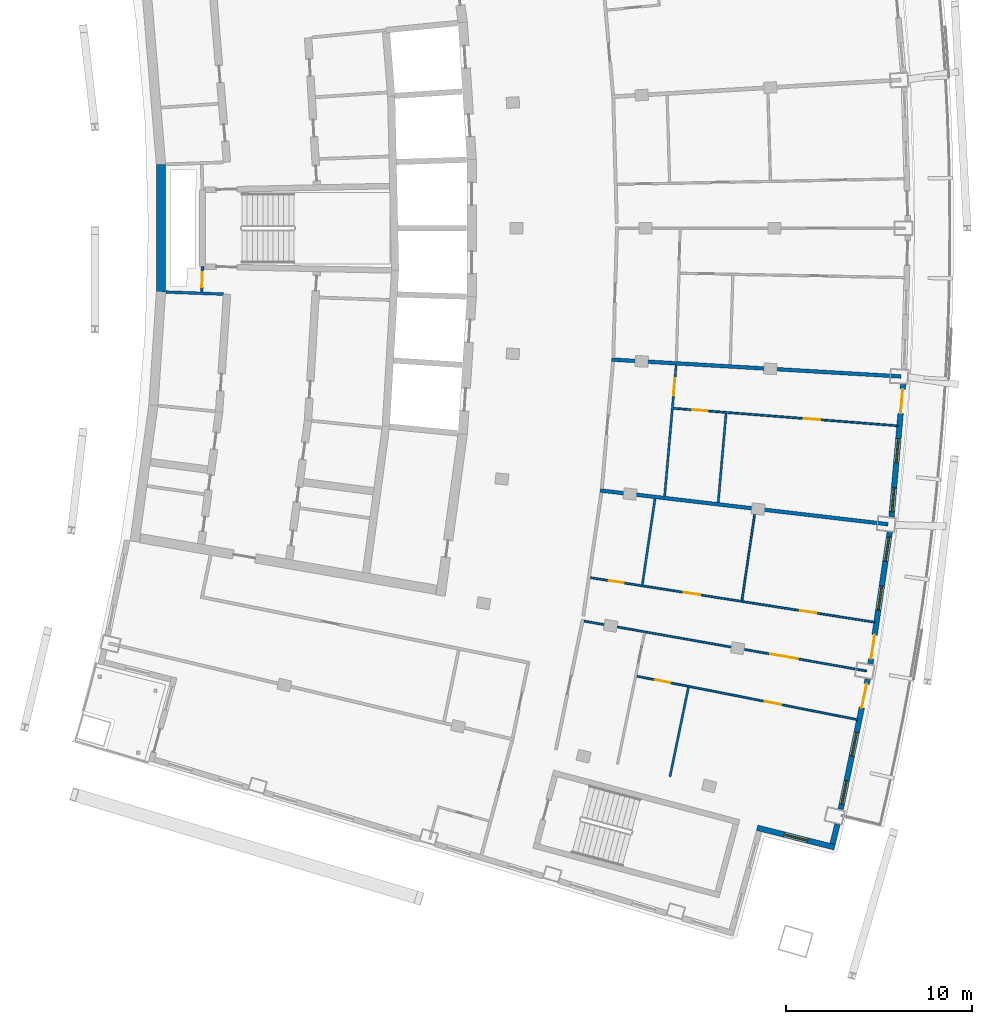
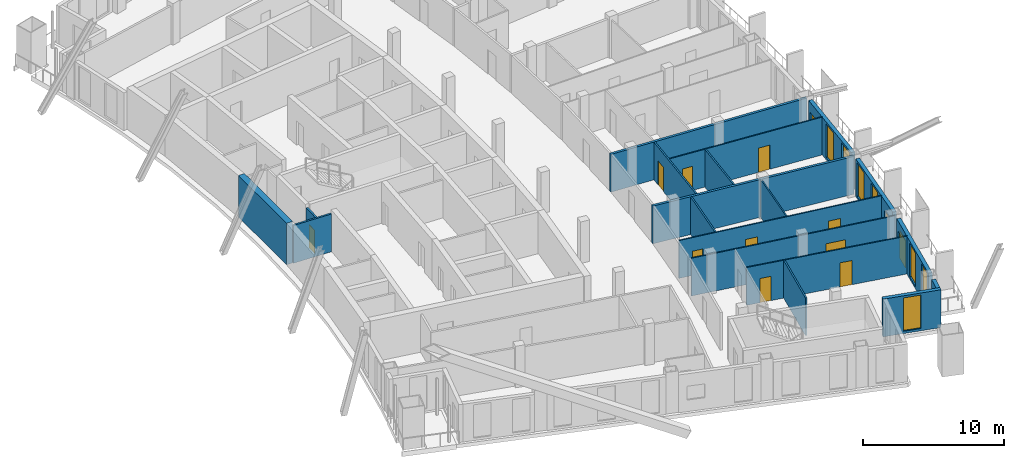
# One storey, part 9 of 17: 19 walls, 13 doors, 7 windows, 20 openings.
"""IFC4 building model written with IfcOpenShell, lengths in metres."""

from ifc_helpers import new_model, si_unit, direction, frame, frame_2d, origin, place, context, subcontext, project, spatial, rectangle, extrude, material, layer, layer_set, type_object, element, fill, save


model = new_model("IFC4")

# Units and contexts
model_context = context("Model", 3, precision=1e-05, world=origin(), true_north=direction((0.0, 1.0)))
body_context = subcontext(model_context, "Body", "Model", "MODEL_VIEW")
ifc_project = project(units=[si_unit("LENGTHUNIT", "METRE"), si_unit("AREAUNIT", "SQUARE_METRE"), si_unit("VOLUMEUNIT", "CUBIC_METRE"), si_unit("PLANEANGLEUNIT", "RADIAN"), si_unit("MASSUNIT", "GRAM", prefix="KILO")], contexts=[model_context])

# Site, building, storey
site_placement = place(None, origin())
site = spatial("IfcSite", under=ifc_project, at=site_placement, CompositionType="ELEMENT")
building_placement = place(site_placement, origin())
building = spatial("IfcBuilding", under=site, at=building_placement, Name="Alderwake Tower", CompositionType="ELEMENT")
storey_placement = place(building_placement, frame((0.0, 0.0, 256.39990234375)))
storey = spatial("IfcBuildingStorey", under=building, at=storey_placement, Name="L63", CompositionType="ELEMENT", Elevation=256.39990234375)

# Wall, opening, door
ifc_material_1 = material(Name="Gypsum shaft wall system, rated")
ifc_layer_1 = layer(ifc_material_1, 0.14990234375)
ifc_layer_set_1 = layer_set([ifc_layer_1], Name="Core room partition 150")
wall_type_1 = type_object("IfcWallType", Name="Core room partition 150", PredefinedType="PARTITIONING", material=ifc_layer_set_1)
wall_1_placement = place(storey_placement, frame((18.918701171875, 58.94384765625, 0.0), z_axis=(0.0, 0.0, 1.0), x_axis=(-0.027811602725, -0.999613182563, 0.0)))
wall_1 = element("IfcWall", 1, at=wall_1_placement, inside=storey, type_object=wall_type_1, Name="CW/L63/PA+24_-37", PredefinedType="PARTITIONING", context=body_context, shape_type="SweptSolid", body=[
    extrude(rectangle(XDim=1.369384765625, YDim=0.14990234375, at=frame_2d((0.6845703125, 0.0))), origin(), (0.0, 0.0, 1.0), 3.280029296875),
])
opening_1_placement = place(wall_1_placement, frame((0.322998046875, 0.0, 0.0)))
opening_1 = element("IfcOpeningElement", 2, at=opening_1_placement, cuts=wall_1, Name="Opening C004", PredefinedType="OPENING", context=body_context, shape_type="SweptSolid", body=[
    extrude(rectangle(XDim=0.800048828125, YDim=2.0, at=frame_2d((0.39990234375, 1.0))), frame((0.0, 0.0849609375, 0.0), z_axis=(0.0, -1.0, 0.0), x_axis=(1.0, 0.0, 0.0)), (0.0, 0.0, 1.0), 0.169921875),
])
ifc_material_2 = material(Name="Painted steel leaf, rated", Category="steel")
door_type_1 = type_object("IfcDoorType", Name="Riser access door 800", OperationType="SINGLE_SWING_LEFT", PredefinedType="DOOR", material=ifc_material_2)
door_1_placement = place(opening_1_placement, origin())
door_1 = element("IfcDoor", 3, at=door_1_placement, inside=storey, type_object=door_type_1, Name="Riser access door", OperationType="SINGLE_SWING_RIGHT", OverallHeight=2.0, OverallWidth=0.800048828125, PredefinedType="DOOR", context=body_context, shape_type="SweptSolid", body=[
    extrude(rectangle(XDim=0.800048828125, YDim=2.0, at=frame_2d((0.39990234375, 1.0))), frame((0.0, 0.02490234375, 0.0), z_axis=(0.0, -1.0, 0.0), x_axis=(1.0, 0.0, 0.0)), (0.0, 0.0, 1.0), 0.050048828125),
])
fill(opening_1, door_1)

# Walls
wall_2_placement = place(storey_placement, frame((16.969482421875, 57.5673828125, 0.0), z_axis=(0.0, 0.0, 1.0), x_axis=(0.999376258731, -0.035314210814, 0.0)))
element("IfcWall", 4, at=wall_2_placement, inside=storey, type_object=wall_type_1, Name="CW/L63/PR-37_+0", PredefinedType="PARTITIONING", context=body_context, shape_type="SweptSolid", body=[
    extrude(rectangle(XDim=3.069580078125, YDim=0.14990234375, at=frame_2d((1.53466796875, 0.0))), origin(), (0.0, 0.0, 1.0), 3.280029296875),
])
ifc_material_3 = material(Name="Concrete C70/85", Category="concrete")
ifc_layer_2 = layer(ifc_material_3, 0.5)
ifc_layer_set_2 = layer_set([ifc_layer_2], Name="Core wall outer 500 C70-85")
wall_type_2 = type_object("IfcWallType", Name="Core wall outer 500 C70-85", PredefinedType="SHEAR", material=ifc_layer_set_2)
wall_3_placement = place(storey_placement, frame((16.689453125, 57.568603515625, 0.0), z_axis=(0.0, 0.0, 1.0), x_axis=(0.0, 1.0, 0.0)))
element("IfcWall", 5, at=wall_3_placement, inside=storey, type_object=wall_type_2, Name="Core wall CW.029", PredefinedType="SHEAR", context=body_context, shape_type="SweptSolid", body=[
    extrude(rectangle(XDim=6.86474609375, YDim=0.5, at=frame_2d((3.432373046875, 0.0))), origin(), (0.0, 0.0, 1.0), 3.60009765625),
])
ifc_material_4 = material(Name="Precast concrete C50/60 spandrel panel", Category="concrete")
ifc_layer_3 = layer(ifc_material_4, 0.300048828125)
ifc_layer_set_3 = layer_set([ifc_layer_3], Name="External wall EW1 Precast concrete C50/60 spandrel")
wall_type_3 = type_object("IfcWallType", Name="External wall EW1 Precast concrete C50/60 spandrel", PredefinedType="SOLIDWALL", material=ifc_layer_set_3)
wall_4_placement = place(storey_placement, frame((52.78515625, 27.90478515625, 0.0), z_axis=(0.0, 0.0, 1.0), x_axis=(0.238265366809, 0.971200090084, 0.0)))
element("IfcWall", 6, at=wall_4_placement, inside=storey, type_object=wall_type_3, Name="External wall 11", PredefinedType="SOLIDWALL", context=body_context, shape_type="SweptSolid", body=[
    extrude(rectangle(XDim=1.09033203125, YDim=0.300048828125, at=frame_2d((0.545166015625, 0.0))), origin(), (0.0, 0.0, 1.0), 3.280029296875),
])

# Wall, openings, door, windows
wall_5_placement = place(storey_placement, frame((53.226806640625, 29.770263671875, 0.0), z_axis=(0.0, 0.0, 1.0), x_axis=(0.202780898279, 0.979224135371, 0.0)))
wall_5 = element("IfcWall", 7, at=wall_5_placement, inside=storey, type_object=wall_type_3, Name="External wall 12", PredefinedType="SOLIDWALL", context=body_context, shape_type="SweptSolid", body=[
    extrude(rectangle(XDim=7.13818359375, YDim=0.300048828125, at=frame_2d((3.569091796875, 0.0))), origin(), (0.0, 0.0, 1.0), 3.280029296875),
])
opening_2_placement = place(wall_5_placement, frame((0.263427734375, 0.0, 0.199951171875)))
opening_2 = element("IfcOpeningElement", 8, at=opening_2_placement, cuts=wall_5, Name="Opening W1", PredefinedType="OPENING", context=body_context, shape_type="SweptSolid", body=[
    extrude(rectangle(XDim=1.300048828125, YDim=2.89990234375, at=frame_2d((0.64990234375, 1.449951171875))), frame((0.0, 0.159912109375, 0.0), z_axis=(0.0, -1.0, 0.0), x_axis=(1.0, 0.0, 0.0)), (0.0, 0.0, 1.0), 0.320068359375),
])
opening_3_placement = place(wall_5_placement, frame((2.919189453125, 0.0, 0.199951171875)))
opening_3 = element("IfcOpeningElement", 9, at=opening_3_placement, cuts=wall_5, Name="Opening W1", PredefinedType="OPENING", context=body_context, shape_type="SweptSolid", body=[
    extrude(rectangle(XDim=1.300048828125, YDim=2.89990234375, at=frame_2d((0.64990234375, 1.449951171875))), frame((0.0, 0.159912109375, 0.0), z_axis=(0.0, -1.0, 0.0), x_axis=(1.0, 0.0, 0.0)), (0.0, 0.0, 1.0), 0.320068359375),
])
opening_4_placement = place(wall_5_placement, frame((5.574951171875, 0.0, 0.0)))
opening_4 = element("IfcOpeningElement", 10, at=opening_4_placement, cuts=wall_5, Name="Opening D02", PredefinedType="OPENING", context=body_context, shape_type="SweptSolid", body=[
    extrude(rectangle(XDim=1.300048828125, YDim=2.39990234375, at=frame_2d((0.64990234375, 1.199951171875))), frame((0.0, 0.159912109375, 0.0), z_axis=(0.0, -1.0, 0.0), x_axis=(1.0, 0.0, 0.0)), (0.0, 0.0, 1.0), 0.320068359375),
])
ifc_material_5 = material(Name="Bronze tinted glass in aluminium frame", Category="aluminium")
door_type_2 = type_object("IfcDoorType", Name="Balcony door BD sliding", OperationType="SLIDING_TO_LEFT", PredefinedType="DOOR", material=ifc_material_5)
door_2_placement = place(opening_4_placement, origin())
door_2 = element("IfcDoor", 11, at=door_2_placement, inside=storey, type_object=door_type_2, Name="Door D02", OperationType="SLIDING_TO_LEFT", OverallHeight=2.39990234375, OverallWidth=1.300048828125, PredefinedType="DOOR", context=body_context, shape_type="SweptSolid", body=[
    extrude(rectangle(XDim=1.300048828125, YDim=2.39990234375, at=frame_2d((0.64990234375, 1.199951171875))), frame((0.0, 0.02490234375, 0.0), z_axis=(0.0, -1.0, 0.0), x_axis=(1.0, 0.0, 0.0)), (0.0, 0.0, 1.0), 0.050048828125),
])
fill(opening_4, door_2)
ifc_material_6 = material(Name="Bronze tinted glass in aluminium frame", Category="aluminium")
window_type = type_object("IfcWindowType", Name="Window W1 tall fixed and vent", PartitioningType="DOUBLE_PANEL_VERTICAL", PredefinedType="WINDOW", material=ifc_material_6)
window_1_placement = place(opening_2_placement, origin())
window_1 = element("IfcWindow", 12, at=window_1_placement, inside=storey, type_object=window_type, Name="Window W1 tall fixed and vent", OverallHeight=2.89990234375, OverallWidth=1.300048828125, PartitioningType="DOUBLE_PANEL_VERTICAL", PredefinedType="WINDOW", context=body_context, shape_type="SweptSolid", body=[
    extrude(rectangle(XDim=1.300048828125, YDim=2.89990234375, at=frame_2d((0.64990234375, 1.449951171875))), frame((0.0, 0.030029296875, 0.0), z_axis=(0.0, -1.0, 0.0), x_axis=(1.0, 0.0, 0.0)), (0.0, 0.0, 1.0), 0.06005859375),
])
fill(opening_2, window_1)
window_2_placement = place(opening_3_placement, origin())
window_2 = element("IfcWindow", 13, at=window_2_placement, inside=storey, type_object=window_type, Name="Window W1 tall fixed and vent", OverallHeight=2.89990234375, OverallWidth=1.300048828125, PartitioningType="DOUBLE_PANEL_VERTICAL", PredefinedType="WINDOW", context=body_context, shape_type="SweptSolid", body=[
    extrude(rectangle(XDim=1.300048828125, YDim=2.89990234375, at=frame_2d((0.64990234375, 1.449951171875))), frame((0.0, 0.030029296875, 0.0), z_axis=(0.0, -1.0, 0.0), x_axis=(1.0, 0.0, 0.0)), (0.0, 0.0, 1.0), 0.06005859375),
])
fill(opening_3, window_2)

wall_6_placement = place(storey_placement, frame((54.821044921875, 37.590576171875, 0.0), z_axis=(0.0, 0.0, 1.0), x_axis=(0.145317744338, 0.98938503788, 0.0)))
wall_6 = element("IfcWall", 14, at=wall_6_placement, inside=storey, type_object=wall_type_3, Name="External wall 13", PredefinedType="SOLIDWALL", context=body_context, shape_type="SweptSolid", body=[
    extrude(rectangle(XDim=7.138427734375, YDim=0.300048828125, at=frame_2d((3.5693359375, 0.0))), origin(), (0.0, 0.0, 1.0), 3.280029296875),
])
opening_5_placement = place(wall_6_placement, frame((0.263427734375, 0.0, 0.0)))
opening_5 = element("IfcOpeningElement", 15, at=opening_5_placement, cuts=wall_6, Name="Opening D03", PredefinedType="OPENING", context=body_context, shape_type="SweptSolid", body=[
    extrude(rectangle(XDim=1.300048828125, YDim=2.39990234375, at=frame_2d((0.64990234375, 1.199951171875))), frame((0.0, 0.159912109375, 0.0), z_axis=(0.0, -1.0, 0.0), x_axis=(1.0, 0.0, 0.0)), (0.0, 0.0, 1.0), 0.320068359375),
])
opening_6_placement = place(wall_6_placement, frame((2.919189453125, 0.0, 0.199951171875)))
opening_6 = element("IfcOpeningElement", 16, at=opening_6_placement, cuts=wall_6, Name="Opening W1", PredefinedType="OPENING", context=body_context, shape_type="SweptSolid", body=[
    extrude(rectangle(XDim=1.300048828125, YDim=2.89990234375, at=frame_2d((0.64990234375, 1.449951171875))), frame((0.0, 0.159912109375, 0.0), z_axis=(0.0, -1.0, 0.0), x_axis=(1.0, 0.0, 0.0)), (0.0, 0.0, 1.0), 0.320068359375),
])
opening_7_placement = place(wall_6_placement, frame((5.574951171875, 0.0, 0.199951171875)))
opening_7 = element("IfcOpeningElement", 17, at=opening_7_placement, cuts=wall_6, Name="Opening W1", PredefinedType="OPENING", context=body_context, shape_type="SweptSolid", body=[
    extrude(rectangle(XDim=1.300048828125, YDim=2.89990234375, at=frame_2d((0.64990234375, 1.449951171875))), frame((0.0, 0.159912109375, 0.0), z_axis=(0.0, -1.0, 0.0), x_axis=(1.0, 0.0, 0.0)), (0.0, 0.0, 1.0), 0.320068359375),
])
door_3_placement = place(opening_5_placement, origin())
door_3 = element("IfcDoor", 18, at=door_3_placement, inside=storey, type_object=door_type_2, Name="Door D03", OperationType="SLIDING_TO_LEFT", OverallHeight=2.39990234375, OverallWidth=1.300048828125, PredefinedType="DOOR", context=body_context, shape_type="SweptSolid", body=[
    extrude(rectangle(XDim=1.300048828125, YDim=2.39990234375, at=frame_2d((0.64990234375, 1.199951171875))), frame((0.0, 0.02490234375, 0.0), z_axis=(0.0, -1.0, 0.0), x_axis=(1.0, 0.0, 0.0)), (0.0, 0.0, 1.0), 0.050048828125),
])
fill(opening_5, door_3)
window_3_placement = place(opening_6_placement, origin())
window_3 = element("IfcWindow", 19, at=window_3_placement, inside=storey, type_object=window_type, Name="Window W1 tall fixed and vent", OverallHeight=2.89990234375, OverallWidth=1.300048828125, PartitioningType="DOUBLE_PANEL_VERTICAL", PredefinedType="WINDOW", context=body_context, shape_type="SweptSolid", body=[
    extrude(rectangle(XDim=1.300048828125, YDim=2.89990234375, at=frame_2d((0.64990234375, 1.449951171875))), frame((0.0, 0.030029296875, 0.0), z_axis=(0.0, -1.0, 0.0), x_axis=(1.0, 0.0, 0.0)), (0.0, 0.0, 1.0), 0.06005859375),
])
fill(opening_6, window_3)
window_4_placement = place(opening_7_placement, origin())
window_4 = element("IfcWindow", 20, at=window_4_placement, inside=storey, type_object=window_type, Name="Window W1 tall fixed and vent", OverallHeight=2.89990234375, OverallWidth=1.300048828125, PartitioningType="DOUBLE_PANEL_VERTICAL", PredefinedType="WINDOW", context=body_context, shape_type="SweptSolid", body=[
    extrude(rectangle(XDim=1.300048828125, YDim=2.89990234375, at=frame_2d((0.64990234375, 1.449951171875))), frame((0.0, 0.030029296875, 0.0), z_axis=(0.0, -1.0, 0.0), x_axis=(1.0, 0.0, 0.0)), (0.0, 0.0, 1.0), 0.06005859375),
])
fill(opening_7, window_4)

wall_7_placement = place(storey_placement, frame((55.95654296875, 45.490478515625, 0.0), z_axis=(0.0, 0.0, 1.0), x_axis=(0.087383747715, 0.996174723949, 0.0)))
wall_7 = element("IfcWall", 21, at=wall_7_placement, inside=storey, type_object=wall_type_3, Name="External wall 14", PredefinedType="SOLIDWALL", context=body_context, shape_type="SweptSolid", body=[
    extrude(rectangle(XDim=7.138427734375, YDim=0.300048828125, at=frame_2d((3.5693359375, 0.0))), origin(), (0.0, 0.0, 1.0), 3.280029296875),
])
opening_8_placement = place(wall_7_placement, frame((0.263427734375, 0.0, 0.199951171875)))
opening_8 = element("IfcOpeningElement", 22, at=opening_8_placement, cuts=wall_7, Name="Opening W1", PredefinedType="OPENING", context=body_context, shape_type="SweptSolid", body=[
    extrude(rectangle(XDim=1.300048828125, YDim=2.89990234375, at=frame_2d((0.64990234375, 1.449951171875))), frame((0.0, 0.159912109375, 0.0), z_axis=(0.0, -1.0, 0.0), x_axis=(1.0, 0.0, 0.0)), (0.0, 0.0, 1.0), 0.320068359375),
])
opening_9_placement = place(wall_7_placement, frame((2.919189453125, 0.0, 0.199951171875)))
opening_9 = element("IfcOpeningElement", 23, at=opening_9_placement, cuts=wall_7, Name="Opening W1", PredefinedType="OPENING", context=body_context, shape_type="SweptSolid", body=[
    extrude(rectangle(XDim=1.300048828125, YDim=2.89990234375, at=frame_2d((0.64990234375, 1.449951171875))), frame((0.0, 0.159912109375, 0.0), z_axis=(0.0, -1.0, 0.0), x_axis=(1.0, 0.0, 0.0)), (0.0, 0.0, 1.0), 0.320068359375),
])
opening_10_placement = place(wall_7_placement, frame((5.574951171875, 0.0, 0.0)))
opening_10 = element("IfcOpeningElement", 24, at=opening_10_placement, cuts=wall_7, Name="Opening D04", PredefinedType="OPENING", context=body_context, shape_type="SweptSolid", body=[
    extrude(rectangle(XDim=1.300048828125, YDim=2.39990234375, at=frame_2d((0.64990234375, 1.199951171875))), frame((0.0, 0.159912109375, 0.0), z_axis=(0.0, -1.0, 0.0), x_axis=(1.0, 0.0, 0.0)), (0.0, 0.0, 1.0), 0.320068359375),
])
door_4_placement = place(opening_10_placement, origin())
door_4 = element("IfcDoor", 25, at=door_4_placement, inside=storey, type_object=door_type_2, Name="Door D04", OperationType="SLIDING_TO_LEFT", OverallHeight=2.39990234375, OverallWidth=1.300048828125, PredefinedType="DOOR", context=body_context, shape_type="SweptSolid", body=[
    extrude(rectangle(XDim=1.300048828125, YDim=2.39990234375, at=frame_2d((0.64990234375, 1.199951171875))), frame((0.0, 0.02490234375, 0.0), z_axis=(0.0, -1.0, 0.0), x_axis=(1.0, 0.0, 0.0)), (0.0, 0.0, 1.0), 0.050048828125),
])
fill(opening_10, door_4)
window_5_placement = place(opening_8_placement, origin())
window_5 = element("IfcWindow", 26, at=window_5_placement, inside=storey, type_object=window_type, Name="Window W1 tall fixed and vent", OverallHeight=2.89990234375, OverallWidth=1.300048828125, PartitioningType="DOUBLE_PANEL_VERTICAL", PredefinedType="WINDOW", context=body_context, shape_type="SweptSolid", body=[
    extrude(rectangle(XDim=1.300048828125, YDim=2.89990234375, at=frame_2d((0.64990234375, 1.449951171875))), frame((0.0, 0.030029296875, 0.0), z_axis=(0.0, -1.0, 0.0), x_axis=(1.0, 0.0, 0.0)), (0.0, 0.0, 1.0), 0.06005859375),
])
fill(opening_8, window_5)
window_6_placement = place(opening_9_placement, origin())
window_6 = element("IfcWindow", 27, at=window_6_placement, inside=storey, type_object=window_type, Name="Window W1 tall fixed and vent", OverallHeight=2.89990234375, OverallWidth=1.300048828125, PartitioningType="DOUBLE_PANEL_VERTICAL", PredefinedType="WINDOW", context=body_context, shape_type="SweptSolid", body=[
    extrude(rectangle(XDim=1.300048828125, YDim=2.89990234375, at=frame_2d((0.64990234375, 1.449951171875))), frame((0.0, 0.030029296875, 0.0), z_axis=(0.0, -1.0, 0.0), x_axis=(1.0, 0.0, 0.0)), (0.0, 0.0, 1.0), 0.06005859375),
])
fill(opening_9, window_6)

# Wall, opening, window
ifc_material_7 = material(Name="Bronze metal cladding on lightweight framing")
ifc_layer_4 = layer(ifc_material_7, 0.300048828125)
ifc_layer_set_4 = layer_set([ifc_layer_4], Name="External wall EW2 bronze metal cladding")
wall_type_4 = type_object("IfcWallType", Name="External wall EW2 bronze metal cladding", PredefinedType="SOLIDWALL", material=ifc_layer_set_4)
wall_8_placement = place(storey_placement, frame((48.731689453125, 28.77587890625, 0.0), z_axis=(0.0, 0.0, 1.0), x_axis=(0.969429385377, -0.245370468408, 0.0)))
wall_8 = element("IfcWall", 28, at=wall_8_placement, inside=storey, type_object=wall_type_4, Name="External wall 10", PredefinedType="SOLIDWALL", context=body_context, shape_type="SweptSolid", body=[
    extrude(rectangle(XDim=4.29443359375, YDim=0.300048828125, at=frame_2d((2.147216796875, 0.0))), origin(), (0.0, 0.0, 1.0), 3.280029296875),
])
opening_11_placement = place(wall_8_placement, frame((1.4970703125, 0.0, 0.199951171875)))
opening_11 = element("IfcOpeningElement", 29, at=opening_11_placement, cuts=wall_8, Name="Opening W1", PredefinedType="OPENING", context=body_context, shape_type="SweptSolid", body=[
    extrude(rectangle(XDim=1.300048828125, YDim=2.89990234375, at=frame_2d((0.64990234375, 1.449951171875))), frame((0.0, 0.159912109375, 0.0), z_axis=(0.0, -1.0, 0.0), x_axis=(1.0, 0.0, 0.0)), (0.0, 0.0, 1.0), 0.320068359375),
])
window_7_placement = place(opening_11_placement, origin())
window_7 = element("IfcWindow", 30, at=window_7_placement, inside=storey, type_object=window_type, Name="Window W1 tall fixed and vent", OverallHeight=2.89990234375, OverallWidth=1.300048828125, PartitioningType="DOUBLE_PANEL_VERTICAL", PredefinedType="WINDOW", context=body_context, shape_type="SweptSolid", body=[
    extrude(rectangle(XDim=1.300048828125, YDim=2.89990234375, at=frame_2d((0.64990234375, 1.449951171875))), frame((0.0, 0.030029296875, 0.0), z_axis=(0.0, -1.0, 0.0), x_axis=(1.0, 0.0, 0.0)), (0.0, 0.0, 1.0), 0.06005859375),
])
fill(opening_11, window_7)

# Walls
ifc_material_8 = material(Name="Dense block masonry wall", Category="masonry")
ifc_layer_5 = layer(ifc_material_8, 0.199951171875)
ifc_layer_set_5 = layer_set([ifc_layer_5], Name="Party wall 200")
wall_type_5 = type_object("IfcWallType", Name="Party wall 200", PredefinedType="SOLIDWALL", material=ifc_layer_set_5)
wall_9_placement = place(storey_placement, frame((40.297607421875, 46.90234375, 0.0), z_axis=(0.0, 0.0, 1.0), x_axis=(0.993186713738, -0.116533907745, 0.0)))
element("IfcWall", 31, at=wall_9_placement, inside=storey, type_object=wall_type_5, Name="WL/L63/W01", PredefinedType="SOLIDWALL", context=body_context, shape_type="SweptSolid", body=[
    extrude(rectangle(XDim=15.57861328125, YDim=0.199951171875, at=frame_2d((7.789306640625, 0.0))), origin(), (0.0, 0.0, 1.0), 3.280029296875),
])
wall_10_placement = place(storey_placement, frame((56.466064453125, 53.031005859375, 0.0), z_axis=(0.0, 0.0, 1.0), x_axis=(-0.998300806671, 0.058270913845, 0.0)))
element("IfcWall", 32, at=wall_10_placement, inside=storey, type_object=wall_type_5, Name="WL/L63/W03", PredefinedType="SOLIDWALL", context=body_context, shape_type="SweptSolid", body=[
    extrude(rectangle(XDim=15.577392578125, YDim=0.199951171875, at=frame_2d((7.78857421875, 0.0))), origin(), (0.0, 0.0, 1.0), 3.280029296875),
])

# Wall, opening, door
ifc_material_9 = material(Name="Gypsum board on metal studs")
ifc_layer_6 = layer(ifc_material_9, 0.10009765625)
ifc_layer_set_6 = layer_set([ifc_layer_6], Name="Unit partition 100")
wall_type_6 = type_object("IfcWallType", Name="Unit partition 100", PredefinedType="PARTITIONING", material=ifc_layer_set_6)
wall_11_placement = place(storey_placement, frame((39.4267578125, 39.883056640625, 0.0), z_axis=(0.0, 0.0, 1.0), x_axis=(0.984746399753, -0.173995770564, 0.0)))
wall_11 = element("IfcWall", 33, at=wall_11_placement, inside=storey, type_object=wall_type_6, Name="WL/L63/W44", PredefinedType="PARTITIONING", context=body_context, shape_type="SweptSolid", body=[
    extrude(rectangle(XDim=15.42041015625, YDim=0.10009765625, at=frame_2d((7.710205078125, 0.0))), origin(), (0.0, 0.0, 1.0), 3.280029296875),
])
opening_12_placement = place(wall_11_placement, frame((10.17431640625, 0.0, 0.0)))
opening_12 = element("IfcOpeningElement", 34, at=opening_12_placement, cuts=wall_11, Name="Opening R18-U03.8", PredefinedType="OPENING", context=body_context, shape_type="SweptSolid", body=[
    extrude(rectangle(XDim=1.5, YDim=2.10009765625, at=frame_2d((0.75, 1.050048828125))), frame((0.0, 0.06005859375, 0.0), z_axis=(0.0, -1.0, 0.0), x_axis=(1.0, 0.0, 0.0)), (0.0, 0.0, 1.0), 0.1201171875),
])
ifc_material_10 = material(Name="Painted timber leaves", Category="wood")
door_type_3 = type_object("IfcDoorType", Name="Double leaf door 1500", OperationType="DOUBLE_DOOR_SINGLE_SWING", PredefinedType="DOOR", material=ifc_material_10)
door_5_placement = place(opening_12_placement, origin())
door_5 = element("IfcDoor", 35, at=door_5_placement, inside=storey, type_object=door_type_3, Name="DR/L63/U03.8", OperationType="DOUBLE_DOOR_SINGLE_SWING", OverallHeight=2.10009765625, OverallWidth=1.5, PredefinedType="DOOR", context=body_context, shape_type="SweptSolid", body=[
    extrude(rectangle(XDim=1.5, YDim=2.10009765625, at=frame_2d((0.75, 1.050048828125))), frame((0.0, 0.02490234375, 0.0), z_axis=(0.0, -1.0, 0.0), x_axis=(1.0, 0.0, 0.0)), (0.0, 0.0, 1.0), 0.050048828125),
])
fill(opening_12, door_5)

# Wall, openings, doors
wall_12_placement = place(storey_placement, frame((39.76904296875, 42.215576171875, 0.0), z_axis=(0.0, 0.0, 1.0), x_axis=(0.987949269918, -0.15477803484, 0.0)))
wall_12 = element("IfcWall", 36, at=wall_12_placement, inside=storey, type_object=wall_type_6, Name="WL/L63/W45", PredefinedType="PARTITIONING", context=body_context, shape_type="SweptSolid", body=[
    extrude(rectangle(XDim=15.46435546875, YDim=0.10009765625, at=frame_2d((7.732177734375, 0.0))), origin(), (0.0, 0.0, 1.0), 3.280029296875),
])
opening_13_placement = place(wall_12_placement, frame((5.07958984375, 0.0, 0.0)))
opening_13 = element("IfcOpeningElement", 37, at=opening_13_placement, cuts=wall_12, Name="Opening R18-U03.5", PredefinedType="OPENING", context=body_context, shape_type="SweptSolid", body=[
    extrude(rectangle(XDim=0.89990234375, YDim=2.10009765625, at=frame_2d((0.449951171875, 1.050048828125))), frame((0.0, 0.06005859375, 0.0), z_axis=(0.0, -1.0, 0.0), x_axis=(1.0, 0.0, 0.0)), (0.0, 0.0, 1.0), 0.1201171875),
])
opening_14_placement = place(wall_12_placement, frame((1.010009765625, 0.0, 0.0)))
opening_14 = element("IfcOpeningElement", 38, at=opening_14_placement, cuts=wall_12, Name="Opening R18-U03.6", PredefinedType="OPENING", context=body_context, shape_type="SweptSolid", body=[
    extrude(rectangle(XDim=0.800048828125, YDim=2.10009765625, at=frame_2d((0.39990234375, 1.050048828125))), frame((0.0, 0.06005859375, 0.0), z_axis=(0.0, -1.0, 0.0), x_axis=(1.0, 0.0, 0.0)), (0.0, 0.0, 1.0), 0.1201171875),
])
opening_15_placement = place(wall_12_placement, frame((11.4013671875, 0.0, 0.0)))
opening_15 = element("IfcOpeningElement", 39, at=opening_15_placement, cuts=wall_12, Name="Opening R18-U03.7", PredefinedType="OPENING", context=body_context, shape_type="SweptSolid", body=[
    extrude(rectangle(XDim=0.89990234375, YDim=2.10009765625, at=frame_2d((0.449951171875, 1.050048828125))), frame((0.0, 0.06005859375, 0.0), z_axis=(0.0, -1.0, 0.0), x_axis=(1.0, 0.0, 0.0)), (0.0, 0.0, 1.0), 0.1201171875),
])
ifc_material_11 = material(Name="Painted timber leaf", Category="wood")
door_type_4 = type_object("IfcDoorType", Name="Bathroom door 800", OperationType="SINGLE_SWING_LEFT", PredefinedType="DOOR", material=ifc_material_11)
door_6_placement = place(opening_14_placement, origin())
door_6 = element("IfcDoor", 40, at=door_6_placement, inside=storey, type_object=door_type_4, Name="DR/L63/U03.6", OperationType="SINGLE_SWING_LEFT", OverallHeight=2.10009765625, OverallWidth=0.800048828125, PredefinedType="DOOR", context=body_context, shape_type="SweptSolid", body=[
    extrude(rectangle(XDim=0.800048828125, YDim=2.10009765625, at=frame_2d((0.39990234375, 1.050048828125))), frame((0.0, 0.02490234375, 0.0), z_axis=(0.0, -1.0, 0.0), x_axis=(1.0, 0.0, 0.0)), (0.0, 0.0, 1.0), 0.050048828125),
])
fill(opening_14, door_6)
ifc_material_12 = material(Name="Painted timber leaf", Category="wood")
door_type_5 = type_object("IfcDoorType", Name="Room door 900", OperationType="SINGLE_SWING_LEFT", PredefinedType="DOOR", material=ifc_material_12)
door_7_placement = place(opening_13_placement, origin())
door_7 = element("IfcDoor", 41, at=door_7_placement, inside=storey, type_object=door_type_5, Name="DR/L63/U03.5", OperationType="SINGLE_SWING_LEFT", OverallHeight=2.10009765625, OverallWidth=0.89990234375, PredefinedType="DOOR", context=body_context, shape_type="SweptSolid", body=[
    extrude(rectangle(XDim=0.89990234375, YDim=2.10009765625, at=frame_2d((0.449951171875, 1.050048828125))), frame((0.0, 0.02490234375, 0.0), z_axis=(0.0, -1.0, 0.0), x_axis=(1.0, 0.0, 0.0)), (0.0, 0.0, 1.0), 0.050048828125),
])
fill(opening_13, door_7)
door_8_placement = place(opening_15_placement, origin())
door_8 = element("IfcDoor", 42, at=door_8_placement, inside=storey, type_object=door_type_5, Name="DR/L63/U03.7", OperationType="SINGLE_SWING_LEFT", OverallHeight=2.10009765625, OverallWidth=0.89990234375, PredefinedType="DOOR", context=body_context, shape_type="SweptSolid", body=[
    extrude(rectangle(XDim=0.89990234375, YDim=2.10009765625, at=frame_2d((0.449951171875, 1.050048828125))), frame((0.0, 0.02490234375, 0.0), z_axis=(0.0, -1.0, 0.0), x_axis=(1.0, 0.0, 0.0)), (0.0, 0.0, 1.0), 0.050048828125),
])
fill(opening_15, door_8)

wall_13_placement = place(storey_placement, frame((54.1201171875, 34.5869140625, 0.0), z_axis=(0.0, 0.0, 1.0), x_axis=(-0.98115541296, 0.193220225697, 0.0)))
wall_13 = element("IfcWall", 43, at=wall_13_placement, inside=storey, type_object=wall_type_6, Name="WL/L63/W48", PredefinedType="PARTITIONING", context=body_context, shape_type="SweptSolid", body=[
    extrude(rectangle(XDim=12.08203125, YDim=0.10009765625, at=frame_2d((6.041015625, 0.0))), origin(), (0.0, 0.0, 1.0), 3.280029296875),
])
opening_16_placement = place(wall_13_placement, frame((10.262939453125, 0.0, 0.0)))
opening_16 = element("IfcOpeningElement", 44, at=opening_16_placement, cuts=wall_13, Name="Opening R18-U03.3", PredefinedType="OPENING", context=body_context, shape_type="SweptSolid", body=[
    extrude(rectangle(XDim=0.800048828125, YDim=2.10009765625, at=frame_2d((0.39990234375, 1.050048828125))), frame((0.0, 0.06005859375, 0.0), z_axis=(0.0, -1.0, 0.0), x_axis=(1.0, 0.0, 0.0)), (0.0, 0.0, 1.0), 0.1201171875),
])
opening_17_placement = place(wall_13_placement, frame((4.172119140625, 0.0, 0.0)))
opening_17 = element("IfcOpeningElement", 45, at=opening_17_placement, cuts=wall_13, Name="Opening R18-U03.4", PredefinedType="OPENING", context=body_context, shape_type="SweptSolid", body=[
    extrude(rectangle(XDim=0.89990234375, YDim=2.10009765625, at=frame_2d((0.449951171875, 1.050048828125))), frame((0.0, 0.06005859375, 0.0), z_axis=(0.0, -1.0, 0.0), x_axis=(1.0, 0.0, 0.0)), (0.0, 0.0, 1.0), 0.1201171875),
])
door_9_placement = place(opening_16_placement, origin())
door_9 = element("IfcDoor", 46, at=door_9_placement, inside=storey, type_object=door_type_4, Name="DR/L63/U03.3", OperationType="SINGLE_SWING_LEFT", OverallHeight=2.10009765625, OverallWidth=0.800048828125, PredefinedType="DOOR", context=body_context, shape_type="SweptSolid", body=[
    extrude(rectangle(XDim=0.800048828125, YDim=2.10009765625, at=frame_2d((0.39990234375, 1.050048828125))), frame((0.0, 0.02490234375, 0.0), z_axis=(0.0, -1.0, 0.0), x_axis=(1.0, 0.0, 0.0)), (0.0, 0.0, 1.0), 0.050048828125),
])
fill(opening_16, door_9)
door_10_placement = place(opening_17_placement, origin())
door_10 = element("IfcDoor", 47, at=door_10_placement, inside=storey, type_object=door_type_5, Name="DR/L63/U03.4", OperationType="SINGLE_SWING_LEFT", OverallHeight=2.10009765625, OverallWidth=0.89990234375, PredefinedType="DOOR", context=body_context, shape_type="SweptSolid", body=[
    extrude(rectangle(XDim=0.89990234375, YDim=2.10009765625, at=frame_2d((0.449951171875, 1.050048828125))), frame((0.0, 0.02490234375, 0.0), z_axis=(0.0, -1.0, 0.0), x_axis=(1.0, 0.0, 0.0)), (0.0, 0.0, 1.0), 0.050048828125),
])
fill(opening_17, door_10)

wall_14_placement = place(storey_placement, frame((56.282958984375, 50.37890625, 0.0), z_axis=(0.0, 0.0, 1.0), x_axis=(-0.996967458022, 0.077819583949, 0.0)))
wall_14 = element("IfcWall", 48, at=wall_14_placement, inside=storey, type_object=wall_type_6, Name="WL/L63/W50", PredefinedType="PARTITIONING", context=body_context, shape_type="SweptSolid", body=[
    extrude(rectangle(XDim=12.084716796875, YDim=0.10009765625, at=frame_2d((6.04248046875, 0.0))), origin(), (0.0, 0.0, 1.0), 3.280029296875),
])
opening_18_placement = place(wall_14_placement, frame((10.2646484375, 0.0, 0.0)))
opening_18 = element("IfcOpeningElement", 49, at=opening_18_placement, cuts=wall_14, Name="Opening R18-U04.3", PredefinedType="OPENING", context=body_context, shape_type="SweptSolid", body=[
    extrude(rectangle(XDim=0.800048828125, YDim=2.10009765625, at=frame_2d((0.39990234375, 1.050048828125))), frame((0.0, 0.06005859375, 0.0), z_axis=(0.0, -1.0, 0.0), x_axis=(1.0, 0.0, 0.0)), (0.0, 0.0, 1.0), 0.1201171875),
])
opening_19_placement = place(wall_14_placement, frame((4.172119140625, 0.0, 0.0)))
opening_19 = element("IfcOpeningElement", 50, at=opening_19_placement, cuts=wall_14, Name="Opening R18-U04.4", PredefinedType="OPENING", context=body_context, shape_type="SweptSolid", body=[
    extrude(rectangle(XDim=0.89990234375, YDim=2.10009765625, at=frame_2d((0.449951171875, 1.050048828125))), frame((0.0, 0.06005859375, 0.0), z_axis=(0.0, -1.0, 0.0), x_axis=(1.0, 0.0, 0.0)), (0.0, 0.0, 1.0), 0.1201171875),
])
door_11_placement = place(opening_18_placement, origin())
door_11 = element("IfcDoor", 51, at=door_11_placement, inside=storey, type_object=door_type_4, Name="DR/L63/U04.3", OperationType="SINGLE_SWING_LEFT", OverallHeight=2.10009765625, OverallWidth=0.800048828125, PredefinedType="DOOR", context=body_context, shape_type="SweptSolid", body=[
    extrude(rectangle(XDim=0.800048828125, YDim=2.10009765625, at=frame_2d((0.39990234375, 1.050048828125))), frame((0.0, 0.02490234375, 0.0), z_axis=(0.0, -1.0, 0.0), x_axis=(1.0, 0.0, 0.0)), (0.0, 0.0, 1.0), 0.050048828125),
])
fill(opening_18, door_11)
door_12_placement = place(opening_19_placement, origin())
door_12 = element("IfcDoor", 52, at=door_12_placement, inside=storey, type_object=door_type_5, Name="DR/L63/U04.4", OperationType="SINGLE_SWING_LEFT", OverallHeight=2.10009765625, OverallWidth=0.89990234375, PredefinedType="DOOR", context=body_context, shape_type="SweptSolid", body=[
    extrude(rectangle(XDim=0.89990234375, YDim=2.10009765625, at=frame_2d((0.449951171875, 1.050048828125))), frame((0.0, 0.02490234375, 0.0), z_axis=(0.0, -1.0, 0.0), x_axis=(1.0, 0.0, 0.0)), (0.0, 0.0, 1.0), 0.050048828125),
])
fill(opening_19, door_12)

# Walls
wall_15_placement = place(storey_placement, frame((47.917236328125, 40.990478515625, 0.0), z_axis=(0.0, 0.0, 1.0), x_axis=(0.145344393885, 0.989381123312, 0.0)))
element("IfcWall", 53, at=wall_15_placement, inside=storey, type_object=wall_type_6, Name="WL/L63/W52", PredefinedType="PARTITIONING", context=body_context, shape_type="SweptSolid", body=[
    extrude(rectangle(XDim=4.886474609375, YDim=0.10009765625, at=frame_2d((2.443359375, 0.0))), origin(), (0.0, 0.0, 1.0), 3.280029296875),
])
ifc_material_13 = material(Name="Moisture resistant gypsum board on metal studs")
ifc_layer_7 = layer(ifc_material_13, 0.1201171875)
ifc_layer_set_7 = layer_set([ifc_layer_7], Name="Wet room partition 120")
wall_type_7 = type_object("IfcWallType", Name="Wet room partition 120", PredefinedType="PARTITIONING", material=ifc_layer_set_7)
wall_16_placement = place(storey_placement, frame((42.562255859375, 41.83056640625, 0.0), z_axis=(0.0, 0.0, 1.0), x_axis=(0.145515042, 0.989356039326, 0.0)))
element("IfcWall", 54, at=wall_16_placement, inside=storey, type_object=wall_type_7, Name="WL/L63/W34", PredefinedType="PARTITIONING", context=body_context, shape_type="SweptSolid", body=[
    extrude(rectangle(XDim=4.67431640625, YDim=0.1201171875, at=frame_2d((2.337158203125, 0.0))), origin(), (0.0, 0.0, 1.0), 3.280029296875),
])

# Wall, opening, door
wall_17_placement = place(storey_placement, frame((44.379150390625, 53.63623046875, 0.0), z_axis=(0.0, 0.0, 1.0), x_axis=(-0.087510659507, -0.996163583189, 0.0)))
wall_17 = element("IfcWall", 55, at=wall_17_placement, inside=storey, type_object=wall_type_7, Name="WL/L63/W37", PredefinedType="PARTITIONING", context=body_context, shape_type="SweptSolid", body=[
    extrude(rectangle(XDim=7.066650390625, YDim=0.1201171875, at=frame_2d((3.533203125, 0.0))), origin(), (0.0, 0.0, 1.0), 3.280029296875),
])
opening_20_placement = place(wall_17_placement, frame((0.711181640625, 0.0, 0.0)))
opening_20 = element("IfcOpeningElement", 56, at=opening_20_placement, cuts=wall_17, Name="Opening R18-U04.2", PredefinedType="OPENING", context=body_context, shape_type="SweptSolid", body=[
    extrude(rectangle(XDim=0.89990234375, YDim=2.10009765625, at=frame_2d((0.449951171875, 1.050048828125))), frame((0.0, 0.070068359375, 0.0), z_axis=(0.0, -1.0, 0.0), x_axis=(1.0, 0.0, 0.0)), (0.0, 0.0, 1.0), 0.14013671875),
])
door_13_placement = place(opening_20_placement, origin())
door_13 = element("IfcDoor", 57, at=door_13_placement, inside=storey, type_object=door_type_5, Name="DR/L63/U04.2", OperationType="SINGLE_SWING_LEFT", OverallHeight=2.10009765625, OverallWidth=0.89990234375, PredefinedType="DOOR", context=body_context, shape_type="SweptSolid", body=[
    extrude(rectangle(XDim=0.89990234375, YDim=2.10009765625, at=frame_2d((0.449951171875, 1.050048828125))), frame((0.0, 0.02490234375, 0.0), z_axis=(0.0, -1.0, 0.0), x_axis=(1.0, 0.0, 0.0)), (0.0, 0.0, 1.0), 0.050048828125),
])
fill(opening_20, door_13)

# Walls
wall_18_placement = place(storey_placement, frame((44.0458984375, 31.51806640625, 0.0), z_axis=(0.0, 0.0, 1.0), x_axis=(0.202681240661, 0.979244767504, 0.0)))
element("IfcWall", 58, at=wall_18_placement, inside=storey, type_object=wall_type_7, Name="WL/L63/W39", PredefinedType="PARTITIONING", context=body_context, shape_type="SweptSolid", body=[
    extrude(rectangle(XDim=4.90966796875, YDim=0.1201171875, at=frame_2d((2.454833984375, 0.0))), origin(), (0.0, 0.0, 1.0), 3.280029296875),
])
wall_19_placement = place(storey_placement, frame((46.640869140625, 46.2578125, 0.0), z_axis=(0.0, 0.0, 1.0), x_axis=(0.087714452347, 0.996145659454, 0.0)))
element("IfcWall", 59, at=wall_19_placement, inside=storey, type_object=wall_type_7, Name="WL/L63/W41", PredefinedType="PARTITIONING", context=body_context, shape_type="SweptSolid", body=[
    extrude(rectangle(XDim=4.806884765625, YDim=0.1201171875, at=frame_2d((2.4033203125, 0.0))), origin(), (0.0, 0.0, 1.0), 3.280029296875),
])

save(model, "model.ifc")
